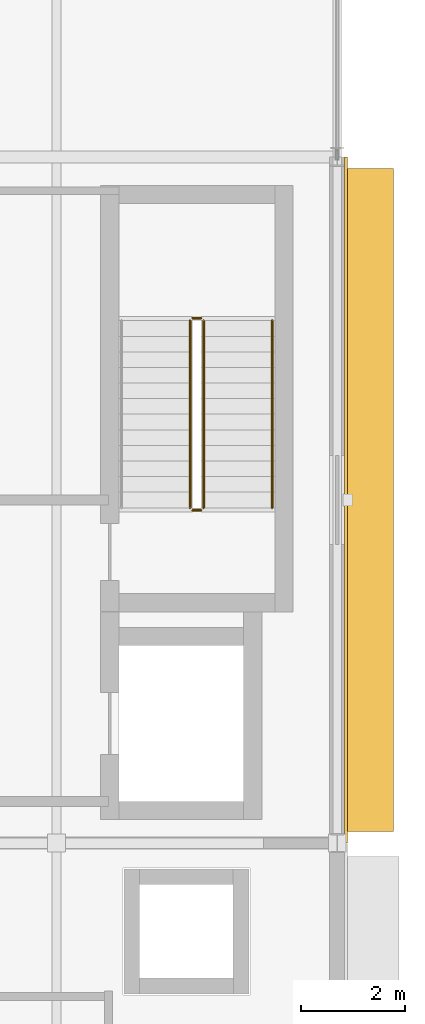
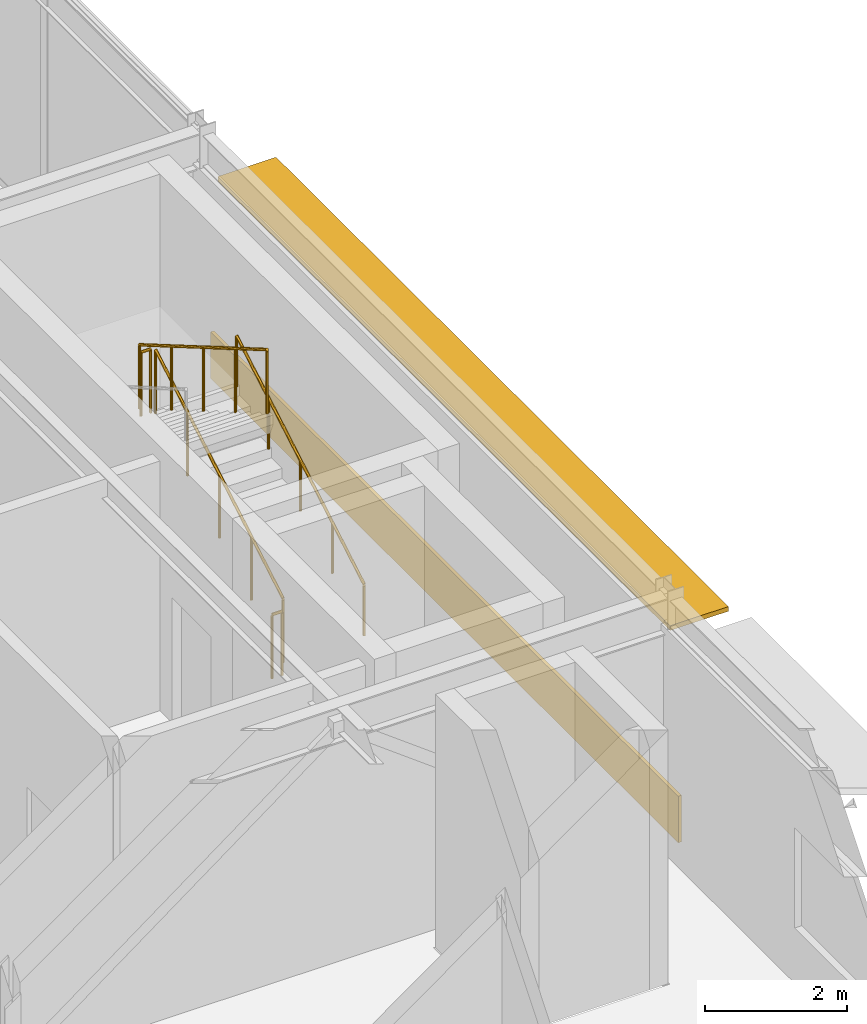
# One storey, part 21 of 22: 5 railings, 1 covering, 1 shading device.
"""IFC4 building model written with IfcOpenShell, lengths in metres."""

from ifc_helpers import new_model, si_unit, direction, frame, origin, origin_2d, place, context, subcontext, project, spatial, rectangle, circle, extrude, material, layer, layer_set, type_object, element, save


model = new_model("IFC4")

# Units and contexts
model_context = context("Model", 3, precision=1e-05, world=origin(), true_north=direction((0.0, 1.0)))
body_context = subcontext(model_context, "Body", "Model", "MODEL_VIEW")
ifc_project = project(units=[si_unit("LENGTHUNIT", "METRE"), si_unit("AREAUNIT", "SQUARE_METRE"), si_unit("VOLUMEUNIT", "CUBIC_METRE"), si_unit("PLANEANGLEUNIT", "RADIAN"), si_unit("MASSUNIT", "GRAM", prefix="KILO")], contexts=[model_context])

# Site, building, storey
site_placement = place(None, origin())
site = spatial("IfcSite", under=ifc_project, at=site_placement, CompositionType="ELEMENT")
building_placement = place(site_placement, origin())
building = spatial("IfcBuilding", under=site, at=building_placement, Name="Almandine Court Research Institute", CompositionType="ELEMENT")
storey_placement = place(building_placement, frame((0.0, 0.0, 28.0)))
storey = spatial("IfcBuildingStorey", under=building, at=storey_placement, Name="L06", CompositionType="ELEMENT", Elevation=28.0)

# Covering
ifc_material_1 = material(Name="Extruded Cream-Ochre Seismic Terracotta Spandrel", Category="masonry")
ifc_layer_1 = layer(ifc_material_1, 0.054931640625)
ifc_layer_set_1 = layer_set([ifc_layer_1], Name="Extruded Cream-Ochre Seismic Terracotta Spandrel")
covering_type = type_object("IfcCoveringType", Name="Cov-CLAD-TERR", PredefinedType="CLADDING", material=ifc_layer_set_1)
covering_placement = place(storey_placement, frame((174.1708984375, 51.0, 0.02001953125), z_axis=(0.0, 0.0, 1.0), x_axis=(0.0, -1.0, 0.0)))
element("IfcCovering", 1, at=covering_placement, inside=storey, type_object=covering_type, Name="L06 Facade Spandrel Cladding Band 207", PredefinedType="CLADDING", context=body_context, shape_type="SweptSolid", body=[
    extrude(rectangle(XDim=13.19189453125, YDim=0.054931640625, at=origin_2d()), origin(), (0.0, 0.0, 1.0), 0.800048828125),
])

# Railings
ifc_material_2 = material(Name="Powder-Coated Steel Stair and Atrium Balustrade", Category="steel")
railing_type_1 = type_object("IfcRailingType", Name="Rail-GUARD-INT", PredefinedType="BALUSTRADE", material=ifc_material_2)
railing_1_placement = place(storey_placement, frame((171.429931640625, 50.85009765625, 0.175048828125)))
element("IfcRailing", 2, at=railing_1_placement, inside=storey, type_object=railing_type_1, Name="L06 ST-08 stair guard 1", PredefinedType="BALUSTRADE", context=body_context, shape_type="SweptSolid", body=[
    extrude(circle(Radius=0.02392578125, at=origin_2d()), frame((0.0, 0.0, 1.09619140625), z_axis=(0.0, 0.86378527499, 0.503860098351), x_axis=(-1.0, 0.0, 0.0)), (0.0, 0.0, 1.0), 4.16748046875),
    extrude(circle(Radius=0.02099609375, at=origin_2d()), origin(), (0.0, 0.0, 1.0), 1.072021484375),
    extrude(circle(Radius=0.02099609375, at=origin_2d()), frame((0.0, 0.89990234375, 0.52490234375)), (0.0, 0.0, 1.0), 1.072021484375),
    extrude(circle(Radius=0.02099609375, at=origin_2d()), frame((0.0, 1.7998046875, 1.0498046875)), (0.0, 0.0, 1.0), 1.072021484375),
    extrude(circle(Radius=0.02099609375, at=origin_2d()), frame((0.0, 2.699951171875, 1.574951171875)), (0.0, 0.0, 1.0), 1.072021484375),
    extrude(circle(Radius=0.02099609375, at=origin_2d()), frame((0.0, 3.599853515625, 2.099853515625)), (0.0, 0.0, 1.0), 1.072021484375),
])
railing_2_placement = place(storey_placement, frame((171.3798828125, 54.5, 2.27490234375)))
element("IfcRailing", 3, at=railing_2_placement, inside=storey, type_object=railing_type_1, Name="L06 ST-08 stair guard 2", PredefinedType="BALUSTRADE", context=body_context, shape_type="SweptSolid", body=[
    extrude(circle(Radius=0.02392578125, at=origin_2d()), frame((0.0, 0.0, 1.09619140625), z_axis=(-1.0, 0.0, 0.0), x_axis=(0.0, -1.0, 0.0)), (0.0, 0.0, 1.0), 0.159912109375),
    extrude(circle(Radius=0.02099609375, at=origin_2d()), origin(), (0.0, 0.0, 1.0), 1.072021484375),
    extrude(circle(Radius=0.02099609375, at=origin_2d()), frame((-0.159912109375, 0.0, 0.0)), (0.0, 0.0, 1.0), 1.072021484375),
])
railing_3_placement = place(storey_placement, frame((171.169921875, 54.449951171875, 2.449951171875)))
element("IfcRailing", 4, at=railing_3_placement, inside=storey, type_object=railing_type_1, Name="L06 ST-08 stair guard 3", PredefinedType="BALUSTRADE", context=body_context, shape_type="SweptSolid", body=[
    extrude(circle(Radius=0.02392578125, at=origin_2d()), frame((0.0, 0.0, 1.09619140625), z_axis=(0.0, -0.863759778359, 0.503903805591), x_axis=(1.0, 0.0, 0.0)), (0.0, 0.0, 1.0), 4.167724609375),
    extrude(circle(Radius=0.02099609375, at=origin_2d()), origin(), (0.0, 0.0, 1.0), 1.072021484375),
    extrude(circle(Radius=0.02099609375, at=origin_2d()), frame((0.0, -0.89990234375, 0.52490234375)), (0.0, 0.0, 1.0), 1.072021484375),
    extrude(circle(Radius=0.02099609375, at=origin_2d()), frame((0.0, -1.7998046875, 1.050048828125)), (0.0, 0.0, 1.0), 1.072021484375),
    extrude(circle(Radius=0.02099609375, at=origin_2d()), frame((0.0, -2.699951171875, 1.5751953125)), (0.0, 0.0, 1.0), 1.072021484375),
    extrude(circle(Radius=0.02099609375, at=origin_2d()), frame((0.0, -3.599853515625, 2.10009765625)), (0.0, 0.0, 1.0), 1.072021484375),
])
railing_4_placement = place(storey_placement, frame((171.3798828125, 50.800048828125, 0.0)))
element("IfcRailing", 5, at=railing_4_placement, inside=storey, type_object=railing_type_1, Name="L06 ST-08 stair guard 4", PredefinedType="BALUSTRADE", context=body_context, shape_type="SweptSolid", body=[
    extrude(circle(Radius=0.02392578125, at=origin_2d()), frame((0.0, 0.0, 1.09619140625), z_axis=(-1.0, 0.0, 0.0), x_axis=(0.0, -1.0, 0.0)), (0.0, 0.0, 1.0), 0.159912109375),
    extrude(circle(Radius=0.02099609375, at=origin_2d()), origin(), (0.0, 0.0, 1.0), 1.072021484375),
    extrude(circle(Radius=0.02099609375, at=origin_2d()), frame((-0.159912109375, 0.0, 0.0)), (0.0, 0.0, 1.0), 1.072021484375),
])
ifc_material_3 = material(Name="Brushed Stainless Steel Wall Handrail", Category="steel")
railing_type_2 = type_object("IfcRailingType", Name="Rail-HAND-INT", PredefinedType="HANDRAIL", material=ifc_material_3)
railing_5_placement = place(storey_placement, frame((172.75, 50.85009765625, 0.175048828125)))
element("IfcRailing", 6, at=railing_5_placement, inside=storey, type_object=railing_type_2, Name="L06 ST-08 stair handrail 1", PredefinedType="HANDRAIL", context=body_context, shape_type="SweptSolid", body=[
    extrude(circle(Radius=0.02392578125, at=origin_2d()), frame((0.0, 0.0, 0.8759765625), z_axis=(0.0, 0.86378527499, 0.503860098351), x_axis=(-1.0, 0.0, 0.0)), (0.0, 0.0, 1.0), 4.16748046875),
    extrude(circle(Radius=0.02099609375, at=origin_2d()), origin(), (0.0, 0.0, 1.0), 0.851806640625),
    extrude(circle(Radius=0.02099609375, at=origin_2d()), frame((0.0, 0.89990234375, 0.52490234375)), (0.0, 0.0, 1.0), 0.851806640625),
    extrude(circle(Radius=0.02099609375, at=origin_2d()), frame((0.0, 1.7998046875, 1.0498046875)), (0.0, 0.0, 1.0), 0.851806640625),
    extrude(circle(Radius=0.02099609375, at=origin_2d()), frame((0.0, 2.699951171875, 1.574951171875)), (0.0, 0.0, 1.0), 0.851806640625),
    extrude(circle(Radius=0.02099609375, at=origin_2d()), frame((0.0, 3.599853515625, 2.099853515625)), (0.0, 0.0, 1.0), 0.851806640625),
])

# Shading device
ifc_material_4 = material(Name="Precast GFRC Chhajja Sunshade and Acoustic Louvre", Category="concrete")
ifc_layer_2 = layer(ifc_material_4, 0.080078125)
ifc_layer_set_2 = layer_set([ifc_layer_2], Name="Precast GFRC Chhajja Sunshade and Acoustic Louvre")
shading_device_type = type_object("IfcShadingDeviceType", Name="Shd-SD-38", PredefinedType="AWNING", material=ifc_layer_set_2)
shading_device_placement = place(storey_placement, frame((174.610107421875, 51.0, 3.549072265625), z_axis=(0.0, 0.0, 1.0), x_axis=(0.0, -1.0, 0.0)))
element("IfcShadingDevice", 7, at=shading_device_placement, inside=storey, type_object=shading_device_type, Name="L06 Projecting Chhajja Sunshade 145", PredefinedType="AWNING", context=body_context, shape_type="SweptSolid", body=[
    extrude(rectangle(XDim=12.761962890625, YDim=0.949951171875, at=origin_2d()), origin(), (0.0, 0.0, 1.0), 0.080078125),
])

save(model, "model.ifc")
